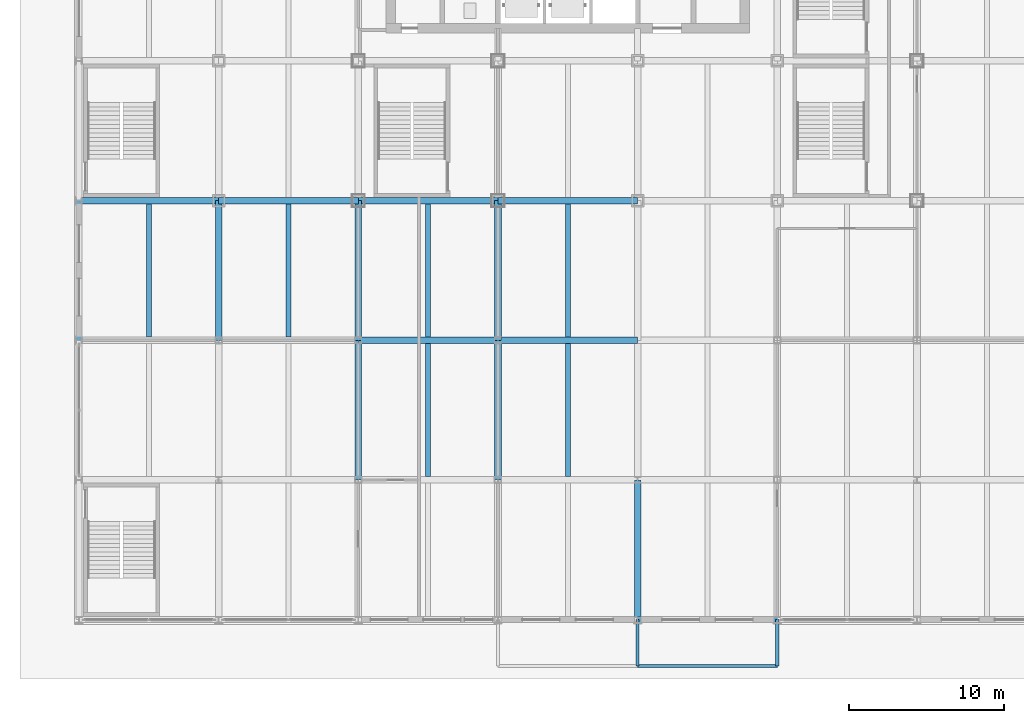
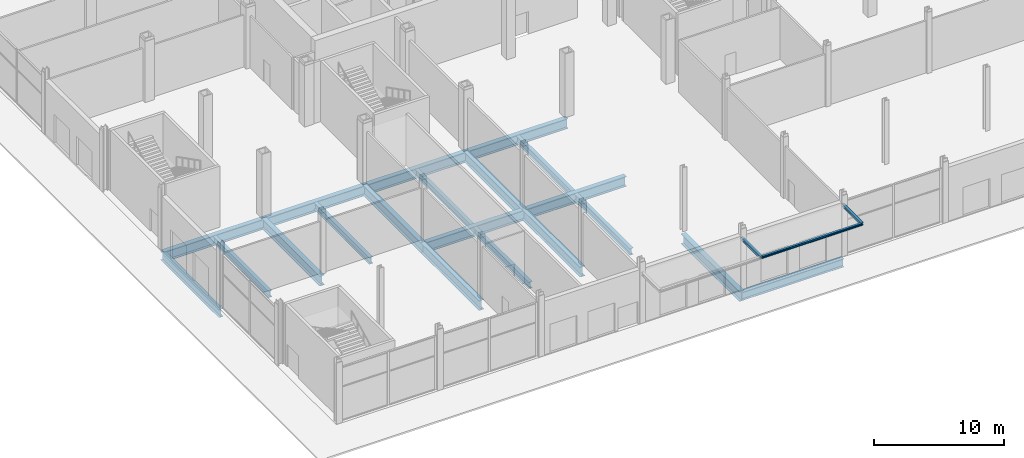
# One storey, part 7 of 34: 23 beams.
"""IFC4 building model written with IfcOpenShell, lengths in metres."""

from ifc_helpers import new_model, si_unit, direction, frame, origin, origin_2d, place, context, subcontext, project, spatial, i_section, extrude, material, material_profile, profile_set, type_object, element, save


model = new_model("IFC4")

# Units and contexts
model_context = context("Model", 3, precision=1e-05, world=origin(), true_north=direction((0.0, 1.0)))
body_context = subcontext(model_context, "Body", "Model", "MODEL_VIEW")
ifc_project = project(units=[si_unit("LENGTHUNIT", "METRE"), si_unit("AREAUNIT", "SQUARE_METRE"), si_unit("VOLUMEUNIT", "CUBIC_METRE"), si_unit("PLANEANGLEUNIT", "RADIAN"), si_unit("MASSUNIT", "GRAM", prefix="KILO")], contexts=[model_context])

# Site, building, storey
site_placement = place(None, origin())
site = spatial("IfcSite", under=ifc_project, at=site_placement, CompositionType="ELEMENT")
building_placement = place(site_placement, origin())
building = spatial("IfcBuilding", under=site, at=building_placement, Name="Loomwork Tower", CompositionType="ELEMENT")
storey_placement = place(building_placement, origin())
storey = spatial("IfcBuildingStorey", under=building, at=storey_placement, Name="L00", CompositionType="ELEMENT", Elevation=0.0)

# Beams
ifc_material_1 = material(Name="Steel ASTM A992", Category="steel")
ifc_material_profile_1 = material_profile(ifc_material_1, i_section(OverallWidth=0.2021484375, OverallDepth=0.2470703125, WebThickness=0.00732421875, FlangeThickness=0.010986328125, at=origin_2d()), Name="W10x33")
ifc_profile_set_1 = profile_set([ifc_material_profile_1], Name="Steel ASTM A992")
beam_type_1 = type_object("IfcBeamType", Name="CANOPY ARM W10x33", PredefinedType="BEAM", material=ifc_profile_set_1)
for number, where, z_axis, x_axis, name in (
    (1, (27.0, -27.0, 4.676513671875), (0.0, -1.0, 0.0), (1.0, 0.0, 0.0), "Canopy arm grid A/5"),
    (2, (36.0, -27.0, 4.676513671875), (0.0, -1.0, 0.0), (1.0, 0.0, 0.0), "Canopy arm grid A/6"),
):
    element("IfcBeam", number, at=place(storey_placement, frame(where, z_axis=z_axis, x_axis=x_axis)), inside=storey, type_object=beam_type_1, Name=name, PredefinedType="BEAM", context=body_context, shape_type="SweptSolid", body=[
        extrude(i_section(OverallWidth=0.2021484375, OverallDepth=0.2470703125, WebThickness=0.00732421875, FlangeThickness=0.010986328125, at=origin_2d()), origin(), (0.0, 0.0, 1.0), 3.0),
    ])
ifc_material_2 = material(Name="Steel ASTM A992", Category="steel")
ifc_material_profile_2 = material_profile(ifc_material_2, i_section(OverallWidth=0.203125, OverallDepth=0.203125, WebThickness=0.00732421875, FlangeThickness=0.010986328125, at=origin_2d()), Name="W8x31")
ifc_profile_set_2 = profile_set([ifc_material_profile_2], Name="Steel ASTM A992")
beam_type_2 = type_object("IfcBeamType", Name="CANOPY EDGE BEAM W8x31", PredefinedType="BEAM", material=ifc_profile_set_2)
beam_placement = place(storey_placement, frame((27.0, -30.0, 4.698486328125), z_axis=(1.0, 0.0, 0.0), x_axis=(0.0, 1.0, 0.0)))
element("IfcBeam", 3, at=beam_placement, inside=storey, type_object=beam_type_2, Name="Canopy edge beam 27-36", PredefinedType="BEAM", context=body_context, shape_type="SweptSolid", body=[
    extrude(i_section(OverallWidth=0.203125, OverallDepth=0.203125, WebThickness=0.00732421875, FlangeThickness=0.010986328125, at=origin_2d()), origin(), (0.0, 0.0, 1.0), 9.0),
])
ifc_material_3 = material(Name="Steel ASTM A992", Category="steel")
ifc_material_profile_3 = material_profile(ifc_material_3, i_section(OverallWidth=0.381103515625, OverallDepth=0.77978515625, WebThickness=0.01806640625, FlangeThickness=0.0302734375, at=origin_2d()), Name="W30x191")
ifc_profile_set_3 = profile_set([ifc_material_profile_3], Name="Steel ASTM A992")
beam_type_3 = type_object("IfcBeamType", Name="EDGE GIRDER W30x191", PredefinedType="BEAM", material=ifc_profile_set_3)
for number, where, z_axis, x_axis, name in (
    (4, (27.0, -27.0, -0.68994140625), (1.0, 0.0, 0.0), (0.0, 1.0, 0.0), "Edge Girder A/5-A/6 L00"),
    (5, (-9.0, -9.0, -0.68994140625), (0.0, 1.0, 0.0), (-1.0, 0.0, 0.0), "Edge Girder C/1-D/1 L00"),
):
    element("IfcBeam", number, at=place(storey_placement, frame(where, z_axis=z_axis, x_axis=x_axis)), inside=storey, type_object=beam_type_3, Name=name, PredefinedType="BEAM", context=body_context, shape_type="SweptSolid", body=[
        extrude(i_section(OverallWidth=0.381103515625, OverallDepth=0.77978515625, WebThickness=0.01806640625, FlangeThickness=0.0302734375, at=origin_2d()), origin(), (0.0, 0.0, 1.0), 9.0),
    ])
ifc_material_4 = material(Name="Steel ASTM A992", Category="steel")
ifc_material_profile_4 = material_profile(ifc_material_4, i_section(OverallWidth=0.3251953125, OverallDepth=0.612060546875, WebThickness=0.0126953125, FlangeThickness=0.01904296875, at=origin_2d()), Name="W24x104")
ifc_profile_set_4 = profile_set([ifc_material_profile_4], Name="Steel ASTM A992")
beam_type_4 = type_object("IfcBeamType", Name="FLOOR JOIST W24x104", PredefinedType="JOIST", material=ifc_profile_set_4)
for number, where, z_axis, x_axis, name in (
    (6, (-4.5, -8.7880859375, -0.60595703125), (0.0, 1.0, 0.0), (-1.0, 0.0, 0.0), "Floor Joist -4.500,-9.000--4.500,0.000 L00"),
    (7, (4.5, -8.7880859375, -0.60595703125), (0.0, 1.0, 0.0), (-1.0, 0.0, 0.0), "Floor Joist 4.500,-9.000-4.500,0.000 L00"),
    (8, (13.5, -17.7880859375, -0.60595703125), (0.0, 1.0, 0.0), (-1.0, 0.0, 0.0), "Floor Joist 13.500,-18.000-13.500,-9.000 L00"),
    (9, (13.5, -8.7880859375, -0.60595703125), (0.0, 1.0, 0.0), (-1.0, 0.0, 0.0), "Floor Joist 13.500,-9.000-13.500,0.000 L00"),
    (10, (22.5, -17.7880859375, -0.60595703125), (0.0, 1.0, 0.0), (-1.0, 0.0, 0.0), "Floor Joist 22.500,-18.000-22.500,-9.000 L00"),
    (11, (22.5, -8.7880859375, -0.60595703125), (0.0, 1.0, 0.0), (-1.0, 0.0, 0.0), "Floor Joist 22.500,-9.000-22.500,0.000 L00"),
):
    element("IfcBeam", number, at=place(storey_placement, frame(where, z_axis=z_axis, x_axis=x_axis)), inside=storey, type_object=beam_type_4, Name=name, PredefinedType="JOIST", context=body_context, shape_type="SweptSolid", body=[
        extrude(i_section(OverallWidth=0.3251953125, OverallDepth=0.612060546875, WebThickness=0.0126953125, FlangeThickness=0.01904296875, at=origin_2d()), origin(), (0.0, 0.0, 1.0), 8.576171875),
    ])
ifc_material_5 = material(Name="Steel ASTM A992", Category="steel")
ifc_material_profile_5 = material_profile(ifc_material_5, i_section(OverallWidth=0.424072265625, OverallDepth=0.947509765625, WebThickness=0.02392578125, FlangeThickness=0.042724609375, at=origin_2d()), Name="W36x302")
ifc_profile_set_5 = profile_set([ifc_material_profile_5], Name="Steel ASTM A992")
beam_type_5 = type_object("IfcBeamType", Name="TRANSFER FLOOR GIRDER W36x302", PredefinedType="BEAM", material=ifc_profile_set_5)
for number, where, z_axis, x_axis, name in (
    (12, (9.0, -9.0, -0.773681640625), (1.0, 0.0, 0.0), (0.0, 1.0, 0.0), "Transfer Floor Girder C/3-C/4 L00"),
    (13, (18.0, -9.0, -0.773681640625), (1.0, 0.0, 0.0), (0.0, 1.0, 0.0), "Transfer Floor Girder C/4-C/5 L00"),
    (14, (-9.0, 0.0, -0.773681640625), (1.0, 0.0, 0.0), (0.0, 1.0, 0.0), "Transfer Floor Girder D/1-D/2 L00"),
    (15, (0.0, 0.0, -0.773681640625), (1.0, 0.0, 0.0), (0.0, 1.0, 0.0), "Transfer Floor Girder D/2-D/3 L00"),
    (16, (9.0, 0.0, -0.773681640625), (1.0, 0.0, 0.0), (0.0, 1.0, 0.0), "Transfer Floor Girder D/3-D/4 L00"),
    (17, (18.0, 0.0, -0.773681640625), (1.0, 0.0, 0.0), (0.0, 1.0, 0.0), "Transfer Floor Girder D/4-D/5 L00"),
    (18, (0.0, -9.0, -0.773681640625), (0.0, 1.0, 0.0), (-1.0, 0.0, 0.0), "Transfer Floor Girder C/2-D/2 L00"),
    (19, (9.0, -18.0, -0.773681640625), (0.0, 1.0, 0.0), (-1.0, 0.0, 0.0), "Transfer Floor Girder B/3-C/3 L00"),
    (20, (9.0, -9.0, -0.773681640625), (0.0, 1.0, 0.0), (-1.0, 0.0, 0.0), "Transfer Floor Girder C/3-D/3 L00"),
    (21, (18.0, -18.0, -0.773681640625), (0.0, 1.0, 0.0), (-1.0, 0.0, 0.0), "Transfer Floor Girder B/4-C/4 L00"),
    (22, (18.0, -9.0, -0.773681640625), (0.0, 1.0, 0.0), (-1.0, 0.0, 0.0), "Transfer Floor Girder C/4-D/4 L00"),
    (23, (27.0, -27.0, -0.773681640625), (0.0, 1.0, 0.0), (-1.0, 0.0, 0.0), "Transfer Floor Girder A/5-B/5 L00"),
):
    element("IfcBeam", number, at=place(storey_placement, frame(where, z_axis=z_axis, x_axis=x_axis)), inside=storey, type_object=beam_type_5, Name=name, PredefinedType="BEAM", context=body_context, shape_type="SweptSolid", body=[
        extrude(i_section(OverallWidth=0.424072265625, OverallDepth=0.947509765625, WebThickness=0.02392578125, FlangeThickness=0.042724609375, at=origin_2d()), origin(), (0.0, 0.0, 1.0), 9.0),
    ])

save(model, "model.ifc")
